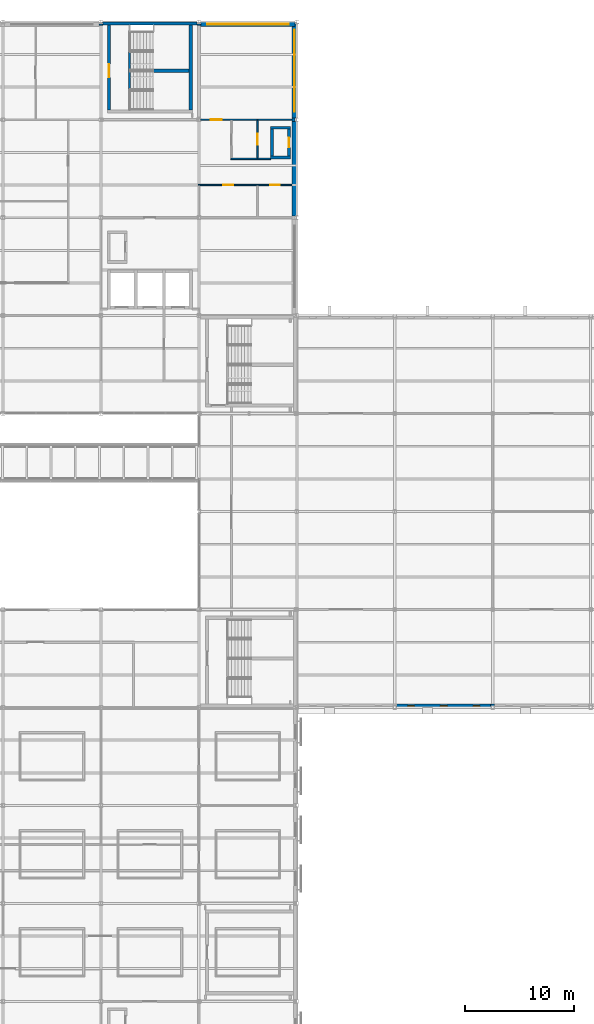
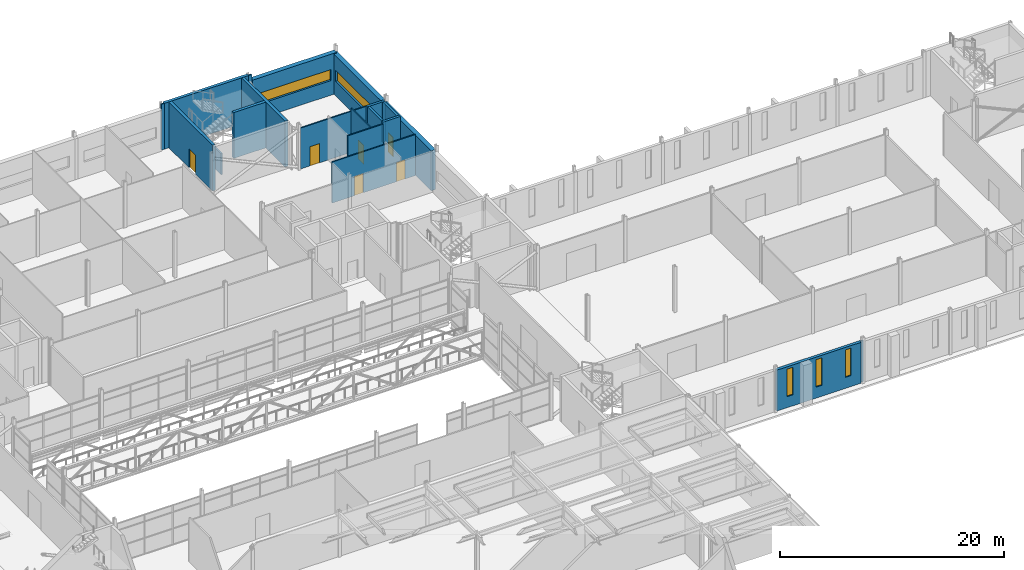
# One storey, part 88 of 115: 21 walls, 6 doors, 5 windows, 11 openings.
"""IFC4 building model written with IfcOpenShell, lengths in metres."""

import ifcopenshell
import ifcopenshell.guid

model = None  # the IFC model being written
_history = None  # IfcOwnerHistory: only IFC2X3 demands one
_inside = {}  # id of a spatial element -> (the spatial element, [elements in it])
_under = {}  # id of a project, library or spatial element -> (it, [spatial elements below it])
_declared = {}  # id of a project -> (the project, [libraries it declares])
_typed = {}  # id of a type object -> (the type object, [elements of that type])
_made_of = {}  # id of a material, layer set ... -> (it, [elements and type objects made of it])


def new_model(schema):
    """Start an empty IFC model of exactly this schema.

    Asked for "IFC4X3", IfcOpenShell would pick the latest addendum, in which some entities
    have other attributes; the version numbers below select the first issue.
    IFC2X3 requires an IfcOwnerHistory on every rooted entity: one is made here for all.
    """
    global model, _history
    if schema == "IFC4X3":
        model = ifcopenshell.file(schema_version=(4, 3, 0, 0))
    else:
        model = ifcopenshell.file(schema=schema)
    _inside.clear()
    _under.clear()
    _declared.clear()
    _typed.clear()
    _made_of.clear()
    _history = None
    if model.schema == "IFC2X3":
        org = make("IfcOrganization", Name="unknown")
        user = make(
            "IfcPersonAndOrganization",
            ThePerson=make("IfcPerson", FamilyName="unknown"),
            TheOrganization=org,
        )
        app = make(
            "IfcApplication",
            ApplicationDeveloper=org,
            Version="unknown",
            ApplicationFullName="unknown",
            ApplicationIdentifier="unknown",
        )
        _history = make(
            "IfcOwnerHistory",
            OwningUser=user,
            OwningApplication=app,
            ChangeAction="ADDED",
            CreationDate=0,
        )
    return model


def make(cls, **values):
    """One entity of the class cls with the attributes given. An attribute that is None is left unset."""
    return model.create_entity(
        cls, **{name: value for name, value in values.items() if value is not None}
    )


def rooted(cls, **values):
    """An entity with a GlobalId (a new one), such as an element, a storey or a relation."""
    return make(cls, GlobalId=ifcopenshell.guid.new(), OwnerHistory=_history, **values)


def si_unit(unit_type, name, prefix=None):
    """IfcSIUnit, for example si_unit("LENGTHUNIT", "METRE", prefix="MILLI")."""
    return make("IfcSIUnit", UnitType=unit_type, Prefix=prefix, Name=name)


def assignment(units):
    """IfcUnitAssignment: the units of a project."""
    return None if units is None else make("IfcUnitAssignment", Units=units)


def point(xyz):
    """IfcCartesianPoint."""
    return None if xyz is None else make("IfcCartesianPoint", Coordinates=xyz)


def direction(xyz):
    """IfcDirection."""
    return None if xyz is None else make("IfcDirection", DirectionRatios=xyz)


def frame(location, z_axis=None, x_axis=None):
    """IfcAxis2Placement3D, a coordinate frame: its origin and axes. An axis left out is left unset."""
    return make(
        "IfcAxis2Placement3D",
        Location=point(location),
        Axis=direction(z_axis),
        RefDirection=direction(x_axis),
    )


def frame_2d(location, x_axis=None):
    """IfcAxis2Placement2D, a coordinate frame in the plane: its origin and x axis."""
    return make(
        "IfcAxis2Placement2D", Location=point(location), RefDirection=direction(x_axis)
    )


def origin():
    """The frame at (0, 0, 0) with its axes left unset."""
    return frame((0.0, 0.0, 0.0))


def place(relative_to, where):
    """IfcLocalPlacement: puts the frame where relative to a parent placement (None: the world)."""
    return make(
        "IfcLocalPlacement", PlacementRelTo=relative_to, RelativePlacement=where
    )


def context(
    kind, dimensions, precision=None, world=None, true_north=None, identifier=None
):
    """IfcGeometricRepresentationContext, for example the 3D "Model" context."""
    return make(
        "IfcGeometricRepresentationContext",
        ContextIdentifier=identifier,
        ContextType=kind,
        CoordinateSpaceDimension=dimensions,
        Precision=precision,
        WorldCoordinateSystem=world,
        TrueNorth=true_north,
    )


def subcontext(parent, identifier, kind, view, scale=None):
    """IfcGeometricRepresentationSubContext, for example "Body" below "Model"."""
    return make(
        "IfcGeometricRepresentationSubContext",
        ContextIdentifier=identifier,
        ContextType=kind,
        ParentContext=parent,
        TargetScale=scale,
        TargetView=view,
    )


def project(units=None, contexts=None):
    """IfcProject with its units and contexts."""
    return rooted(
        "IfcProject",
        Name="project",
        RepresentationContexts=contexts,
        UnitsInContext=assignment(units),
    )


def spatial(cls, under=None, at=None, **own):
    """A site, building, storey or space (cls), placed at a placement, below another one or the project."""
    s = rooted(cls, ObjectPlacement=at, **own)
    if under is not None:
        _under.setdefault(under.id(), (under, []))[1].append(s)
    return s


def profile(cls, at=None, kind="AREA", **sizes):
    """A parametric profile (cls). Its sizes go by their IFC names, for example OverallWidth=200.0."""
    return make(cls, ProfileType=kind, Position=at, **sizes)


def rectangle(**sizes):
    """IfcRectangleProfileDef."""
    return profile("IfcRectangleProfileDef", **sizes)


def extrude(swept, where, along, depth):
    """IfcExtrudedAreaSolid: the profile swept, set in the frame where, extruded along a direction by depth."""
    return make(
        "IfcExtrudedAreaSolid",
        SweptArea=swept,
        Position=where,
        ExtrudedDirection=direction(along),
        Depth=depth,
    )


def shape(context_of_items, identifier, shape_type, items):
    """IfcShapeRepresentation: the items that make up one representation, for example the "Body"."""
    return make(
        "IfcShapeRepresentation",
        ContextOfItems=context_of_items,
        RepresentationIdentifier=identifier,
        RepresentationType=shape_type,
        Items=items,
    )


def material(Name=None, Category=None):
    """IfcMaterial."""
    return make("IfcMaterial", Name=Name, Category=Category)


def layer(
    of_material, thickness, ventilated=None, Name=None, Category=None, Priority=None
):
    """IfcMaterialLayer: one layer of a wall or slab, of a material (None: an air gap)."""
    return make(
        "IfcMaterialLayer",
        Material=of_material,
        LayerThickness=thickness,
        IsVentilated=ventilated,
        Name=Name,
        Category=Category,
        Priority=Priority,
    )


def layer_set(layers, Name=None):
    """IfcMaterialLayerSet."""
    return make("IfcMaterialLayerSet", MaterialLayers=layers, LayerSetName=Name)


def made_of(thing, what):
    """Note that an element or type object is made of a material, layer set ...; save() writes the relation."""
    if what is not None:
        _made_of.setdefault(what.id(), (what, []))[1].append(thing)
    return thing


def type_object(cls, material=None, **own):
    """A type object (cls), such as IfcWallType, which elements share."""
    return made_of(rooted(cls, **own), material)


def element(
    cls,
    number,
    at=None,
    inside=None,
    cuts=None,
    type_object=None,
    material=None,
    context=None,
    identifier="Body",
    shape_type=None,
    held_by="IfcProductDefinitionShape",
    body=None,
    shapes=None,
    **own,
):
    """One element of the class cls, such as IfcWall. Its Tag is "e" and its number.

    at: its placement. inside: the storey or other place that contains it. cuts: it is an
    opening in that element (IfcRelVoidsElement). A single representation is given by context,
    identifier, shape_type and body (its items); several are given by shapes. held_by: the class
    of the entity that holds the representations. save() writes the other relations.
    """
    e = rooted(cls, Tag="e%d" % number, ObjectPlacement=at, **own)
    if body is not None:
        shapes = [shape(context, identifier, shape_type, body)]
    if shapes is not None:
        e.Representation = make(held_by, Representations=shapes)
    if inside is not None:
        _inside.setdefault(inside.id(), (inside, []))[1].append(e)
    if cuts is not None:
        rooted(
            "IfcRelVoidsElement", RelatingBuildingElement=cuts, RelatedOpeningElement=e
        )
    if type_object is not None:
        _typed.setdefault(type_object.id(), (type_object, []))[1].append(e)
    return made_of(e, material)


def fill(opening, filler):
    """IfcRelFillsElement: the door or window that sits in an opening."""
    return rooted(
        "IfcRelFillsElement",
        RelatingOpeningElement=opening,
        RelatedBuildingElement=filler,
    )


def aggregate(whole, parts):
    """IfcRelAggregates: a whole, such as a stair, and the parts it consists of."""
    return rooted("IfcRelAggregates", RelatingObject=whole, RelatedObjects=parts)


def save(model, path):
    """Write the relations noted so far, then the file.

    IfcRelAggregates (storeys below a building ...), IfcRelContainedInSpatialStructure (elements
    in a storey), IfcRelDefinesByType, IfcRelAssociatesMaterial and IfcRelDeclares: one each for
    every whole, place, type object, material and project.
    """
    for whole, parts in _under.values():
        aggregate(whole, parts)
    for where, things in _inside.values():
        rooted(
            "IfcRelContainedInSpatialStructure",
            RelatedElements=things,
            RelatingStructure=where,
        )
    for kind, things in _typed.values():
        rooted("IfcRelDefinesByType", RelatedObjects=things, RelatingType=kind)
    for what, things in _made_of.values():
        rooted("IfcRelAssociatesMaterial", RelatedObjects=things, RelatingMaterial=what)
    for by, libraries in _declared.values():
        rooted("IfcRelDeclares", RelatingContext=by, RelatedDefinitions=libraries)
    model.write(path)


model = new_model("IFC4")

# Units and contexts
model_context = context("Model", 3, precision=1e-05, world=origin(), true_north=direction((0.0, 1.0)))
body_context = subcontext(model_context, "Body", "Model", "MODEL_VIEW")
ifc_project = project(units=[si_unit("LENGTHUNIT", "METRE"), si_unit("AREAUNIT", "SQUARE_METRE"), si_unit("VOLUMEUNIT", "CUBIC_METRE"), si_unit("PLANEANGLEUNIT", "RADIAN"), si_unit("MASSUNIT", "GRAM", prefix="KILO")], contexts=[model_context])

# Site, building, storey
site_placement = place(None, origin())
site = spatial("IfcSite", under=ifc_project, at=site_placement, CompositionType="ELEMENT")
building_placement = place(site_placement, origin())
building = spatial("IfcBuilding", under=site, at=building_placement, Name="Shorebreak Coast Museum", CompositionType="ELEMENT")
storey_placement = place(building_placement, frame((0.0, 0.0, 11.0)))
storey = spatial("IfcBuildingStorey", under=building, at=storey_placement, Name="L02", CompositionType="ELEMENT", Elevation=11.0)

# Walls
ifc_material_1 = material(Name="Concrete N50 (50 MPa)", Category="concrete")
ifc_layer_1 = layer(ifc_material_1, 0.136474609375)
ifc_layer_set_1 = layer_set([ifc_layer_1], Name="Concrete N50 (50 MPa)")
wall_type_1 = type_object("IfcWallType", Name="Column closure panel 136", PredefinedType="SOLIDWALL", material=ifc_layer_set_1)
for number, where, z_axis, x_axis, name in (
    (1, (98.83349609375, 116.768310546875, 0.0), (0.0, 0.0, 1.0), (1.0, 0.0, 0.0), "Column closure panel L02 N 12P"),
    (2, (107.844482421875, 116.768310546875, 0.0), (0.0, 0.0, 1.0), (1.0, 0.0, 0.0), "Column closure panel L02 N 13P"),
):
    element("IfcWall", number, at=place(storey_placement, frame(where, z_axis=z_axis, x_axis=x_axis)), inside=storey, type_object=wall_type_1, Name=name, PredefinedType="SOLIDWALL", context=body_context, shape_type="SweptSolid", body=[
        extrude(rectangle(XDim=0.322021484375, YDim=0.136474609375, at=frame_2d((0.1611328125, 0.0))), origin(), (0.0, 0.0, 1.0), 5.0),
    ])
ifc_material_2 = material(Name="Concrete N50 (50 MPa)", Category="concrete")
ifc_layer_2 = layer(ifc_material_2, 0.14990234375)
ifc_layer_set_2 = layer_set([ifc_layer_2], Name="Concrete N50 (50 MPa)")
wall_type_2 = type_object("IfcWallType", Name="Column closure panel 150", PredefinedType="SOLIDWALL", material=ifc_layer_set_2)
wall_1_placement = place(storey_placement, frame((134.839111328125, 54.22509765625, 0.0), z_axis=(0.0, 0.0, 1.0), x_axis=(1.0, 0.0, 0.0)))
element("IfcWall", 3, at=wall_1_placement, inside=storey, type_object=wall_type_2, Name="Column closure panel L02 S 16G", PredefinedType="SOLIDWALL", context=body_context, shape_type="SweptSolid", body=[
    extrude(rectangle(XDim=0.32177734375, YDim=0.14990234375, at=frame_2d((0.160888671875, 0.0))), origin(), (0.0, 0.0, 1.0), 4.469482421875),
])
ifc_material_3 = material(Name="Concrete N50 (50 MPa)", Category="concrete")
ifc_layer_3 = layer(ifc_material_3, 0.29541015625)
ifc_layer_set_3 = layer_set([ifc_layer_3], Name="Concrete N50 (50 MPa)")
wall_type_3 = type_object("IfcWallType", Name="Column closure panel 296", PredefinedType="SOLIDWALL", material=ifc_layer_set_3)
wall_2_placement = place(storey_placement, frame((116.6982421875, 107.839111328125, 0.0), z_axis=(0.0, 0.0, 1.0), x_axis=(0.0, 1.0, 0.0)))
element("IfcWall", 4, at=wall_2_placement, inside=storey, type_object=wall_type_3, Name="Column closure panel L02 E 14N", PredefinedType="SOLIDWALL", context=body_context, shape_type="SweptSolid", body=[
    extrude(rectangle(XDim=0.32177734375, YDim=0.29638671875, at=frame_2d((0.160888671875, 0.0))), origin(), (0.0, 0.0, 1.0), 4.37109375),
])
ifc_material_4 = material(Name="Concrete N50 (50 MPa)", Category="concrete")
ifc_layer_4 = layer(ifc_material_4, 0.449951171875)
ifc_layer_set_4 = layer_set([ifc_layer_4], Name="Concrete N50 (50 MPa)")
wall_type_4 = type_object("IfcWallType", Name="Deep-set precast panel 450", PredefinedType="SOLIDWALL", material=ifc_layer_set_4)
wall_3_placement = place(storey_placement, frame((116.77490234375, 99.160888671875, 0.0), z_axis=(0.0, 0.0, 1.0), x_axis=(0.0, 1.0, 0.0)))
element("IfcWall", 5, at=wall_3_placement, inside=storey, type_object=wall_type_4, Name="External wall L02 E 14M", PredefinedType="SOLIDWALL", context=body_context, shape_type="SweptSolid", body=[
    extrude(rectangle(XDim=8.67822265625, YDim=0.449951171875, at=frame_2d((4.339111328125, 0.0))), origin(), (0.0, 0.0, 1.0), 4.37109375),
])

# Wall, opening, window
wall_4_placement = place(storey_placement, frame((108.16650390625, 116.77490234375, 0.0), z_axis=(0.0, 0.0, 1.0), x_axis=(1.0, 0.0, 0.0)))
wall_4 = element("IfcWall", 6, at=wall_4_placement, inside=storey, type_object=wall_type_4, Name="External wall L02 N 13P", PredefinedType="SOLIDWALL", context=body_context, shape_type="SweptSolid", body=[
    extrude(rectangle(XDim=8.677978515625, YDim=0.449951171875, at=frame_2d((4.3388671875, 0.0))), origin(), (0.0, 0.0, 1.0), 4.469482421875),
])
opening_1_placement = place(wall_4_placement, frame((0.58349609375, 0.0, 1.60009765625)))
opening_1 = element("IfcOpeningElement", 7, at=opening_1_placement, cuts=wall_4, Name="Opening WN2037", PredefinedType="OPENING", context=body_context, shape_type="SweptSolid", body=[
    extrude(rectangle(XDim=7.5, YDim=1.199951171875, at=frame_2d((3.75, 0.60009765625))), frame((0.0, 0.23486328125, 0.0), z_axis=(0.0, -1.0, 0.0), x_axis=(1.0, 0.0, 0.0)), (0.0, 0.0, 1.0), 0.469970703125),
])
ifc_material_5 = material(Name="Aluminium", Category="aluminium")
window_type_1 = type_object("IfcWindowType", Name="Ribbon window 7500 x 1200", PartitioningType="SINGLE_PANEL", PredefinedType="WINDOW", material=ifc_material_5)
window_1_placement = place(opening_1_placement, origin())
window_1 = element("IfcWindow", 8, at=window_1_placement, inside=storey, type_object=window_type_1, Name="Window WN2037", OverallHeight=1.199951171875, OverallWidth=7.5, PartitioningType="SINGLE_PANEL", PredefinedType="WINDOW", context=body_context, shape_type="SweptSolid", body=[
    extrude(rectangle(XDim=7.5, YDim=1.199951171875, at=frame_2d((3.75, 0.60009765625))), frame((0.0, 0.030029296875, 0.0), z_axis=(0.0, -1.0, 0.0), x_axis=(1.0, 0.0, 0.0)), (0.0, 0.0, 1.0), 0.06005859375),
])
fill(opening_1, window_1)

wall_5_placement = place(storey_placement, frame((116.77490234375, 108.160888671875, 0.0), z_axis=(0.0, 0.0, 1.0), x_axis=(0.0, 1.0, 0.0)))
wall_5 = element("IfcWall", 9, at=wall_5_placement, inside=storey, type_object=wall_type_4, Name="External wall L02 E 14N", PredefinedType="SOLIDWALL", context=body_context, shape_type="SweptSolid", body=[
    extrude(rectangle(XDim=8.675537109375, YDim=0.449951171875, at=frame_2d((4.337890625, 0.0))), origin(), (0.0, 0.0, 1.0), 4.37109375),
])
opening_2_placement = place(wall_5_placement, frame((0.5927734375, 0.0, 1.60009765625)))
opening_2 = element("IfcOpeningElement", 10, at=opening_2_placement, cuts=wall_5, Name="Opening WN2015", PredefinedType="OPENING", context=body_context, shape_type="SweptSolid", body=[
    extrude(rectangle(XDim=7.5, YDim=1.199951171875, at=frame_2d((3.75, 0.60009765625))), frame((0.0, 0.23486328125, 0.0), z_axis=(0.0, -1.0, 0.0), x_axis=(1.0, 0.0, 0.0)), (0.0, 0.0, 1.0), 0.469970703125),
])
window_2_placement = place(opening_2_placement, origin())
window_2 = element("IfcWindow", 11, at=window_2_placement, inside=storey, type_object=window_type_1, Name="Window WN2015", OverallHeight=1.199951171875, OverallWidth=7.5, PartitioningType="SINGLE_PANEL", PredefinedType="WINDOW", context=body_context, shape_type="SweptSolid", body=[
    extrude(rectangle(XDim=7.5, YDim=1.199951171875, at=frame_2d((3.75, 0.60009765625))), frame((0.0, 0.030029296875, 0.0), z_axis=(0.0, -1.0, 0.0), x_axis=(1.0, 0.0, 0.0)), (0.0, 0.0, 1.0), 0.06005859375),
])
fill(opening_2, window_2)

# Wall, openings, doors
ifc_material_6 = material(Name="Plasterboard on steel stud", Category="steel")
ifc_layer_5 = layer(ifc_material_6, 0.125)
ifc_layer_set_5 = layer_set([ifc_layer_5], Name="Plasterboard on steel stud")
wall_type_5 = type_object("IfcWallType", Name="Partition 125", PredefinedType="PARTITIONING", material=ifc_layer_set_5)
wall_6_placement = place(storey_placement, frame((107.9375, 102.0, 0.0), z_axis=(0.0, 0.0, 1.0), x_axis=(1.0, 0.0, 0.0)))
wall_6 = element("IfcWall", 12, at=wall_6_placement, inside=storey, type_object=wall_type_5, Name="Partition L02-077", PredefinedType="PARTITIONING", context=body_context, shape_type="SweptSolid", body=[
    extrude(rectangle(XDim=8.612548828125, YDim=0.125, at=frame_2d((4.30615234375, 0.0))), origin(), (0.0, 0.0, 1.0), 4.469482421875),
])
opening_3_placement = place(wall_6_placement, frame((6.612548828125, 0.0, 0.0)))
opening_3 = element("IfcOpeningElement", 13, at=opening_3_placement, cuts=wall_6, Name="Opening D2014", PredefinedType="OPENING", context=body_context, shape_type="SweptSolid", body=[
    extrude(rectangle(XDim=0.89990234375, YDim=2.10009765625, at=frame_2d((0.449951171875, 1.050048828125))), frame((0.0, 0.072509765625, 0.0), z_axis=(0.0, -1.0, 0.0), x_axis=(1.0, 0.0, 0.0)), (0.0, 0.0, 1.0), 0.14501953125),
])
opening_4_placement = place(wall_6_placement, frame((2.3125, 0.0, 0.0)))
opening_4 = element("IfcOpeningElement", 14, at=opening_4_placement, cuts=wall_6, Name="Opening D2015", PredefinedType="OPENING", context=body_context, shape_type="SweptSolid", body=[
    extrude(rectangle(XDim=0.89990234375, YDim=2.10009765625, at=frame_2d((0.449951171875, 1.050048828125))), frame((0.0, 0.072509765625, 0.0), z_axis=(0.0, -1.0, 0.0), x_axis=(1.0, 0.0, 0.0)), (0.0, 0.0, 1.0), 0.14501953125),
])
ifc_material_7 = material(Name="Timber", Category="wood")
door_type_1 = type_object("IfcDoorType", Name="Interior door 900x2100", OperationType="SINGLE_SWING_LEFT", PredefinedType="DOOR", material=ifc_material_7)
door_1_placement = place(opening_3_placement, origin())
door_1 = element("IfcDoor", 15, at=door_1_placement, inside=storey, type_object=door_type_1, Name="Door D2014 Accessible WC N2", OperationType="SINGLE_SWING_LEFT", OverallHeight=2.10009765625, OverallWidth=0.89990234375, PredefinedType="DOOR", context=body_context, shape_type="SweptSolid", body=[
    extrude(rectangle(XDim=0.89990234375, YDim=2.10009765625, at=frame_2d((0.449951171875, 1.050048828125))), frame((0.0, 0.02490234375, 0.0), z_axis=(0.0, -1.0, 0.0), x_axis=(1.0, 0.0, 0.0)), (0.0, 0.0, 1.0), 0.050048828125),
])
fill(opening_3, door_1)
door_2_placement = place(opening_4_placement, origin())
door_2 = element("IfcDoor", 16, at=door_2_placement, inside=storey, type_object=door_type_1, Name="Door D2015 Male WC N2", OperationType="SINGLE_SWING_LEFT", OverallHeight=2.10009765625, OverallWidth=0.89990234375, PredefinedType="DOOR", context=body_context, shape_type="SweptSolid", body=[
    extrude(rectangle(XDim=0.89990234375, YDim=2.10009765625, at=frame_2d((0.449951171875, 1.050048828125))), frame((0.0, 0.02490234375, 0.0), z_axis=(0.0, -1.0, 0.0), x_axis=(1.0, 0.0, 0.0)), (0.0, 0.0, 1.0), 0.050048828125),
])
fill(opening_4, door_2)

# Wall
wall_7_placement = place(storey_placement, frame((110.9375, 104.39990234375, 0.0), z_axis=(0.0, 0.0, 1.0), x_axis=(1.0, 0.0, 0.0)))
element("IfcWall", 17, at=wall_7_placement, inside=storey, type_object=wall_type_5, Name="Partition L02-079", PredefinedType="PARTITIONING", context=body_context, shape_type="SweptSolid", body=[
    extrude(rectangle(XDim=3.66259765625, YDim=0.125, at=frame_2d((1.831298828125, 0.0))), origin(), (0.0, 0.0, 1.0), 4.824951171875),
])

# Wall, opening, door
wall_8_placement = place(storey_placement, frame((108.153564453125, 108.0, 0.0), z_axis=(0.0, 0.0, 1.0), x_axis=(1.0, 0.0, 0.0)))
wall_8 = element("IfcWall", 18, at=wall_8_placement, inside=storey, type_object=wall_type_5, Name="Partition L02-084", PredefinedType="PARTITIONING", context=body_context, shape_type="SweptSolid", body=[
    extrude(rectangle(XDim=8.396484375, YDim=0.125, at=frame_2d((4.1982421875, 0.0))), origin(), (0.0, 0.0, 1.0), 4.469482421875),
])
opening_5_placement = place(wall_8_placement, frame((0.949951171875, 0.0, 0.0)))
opening_5 = element("IfcOpeningElement", 19, at=opening_5_placement, cuts=wall_8, Name="Opening D2017", PredefinedType="OPENING", context=body_context, shape_type="SweptSolid", body=[
    extrude(rectangle(XDim=1.0, YDim=2.10009765625, at=frame_2d((0.5, 1.050048828125))), frame((0.0, 0.072509765625, 0.0), z_axis=(0.0, -1.0, 0.0), x_axis=(1.0, 0.0, 0.0)), (0.0, 0.0, 1.0), 0.14501953125),
])
ifc_material_8 = material(Name="Timber", Category="wood")
door_type_2 = type_object("IfcDoorType", Name="Interior door 1000x2100", OperationType="SINGLE_SWING_LEFT", PredefinedType="DOOR", material=ifc_material_8)
door_3_placement = place(opening_5_placement, origin())
door_3 = element("IfcDoor", 20, at=door_3_placement, inside=storey, type_object=door_type_2, Name="Door D2017 Services Store 2.02", OperationType="SINGLE_SWING_RIGHT", OverallHeight=2.10009765625, OverallWidth=1.0, PredefinedType="DOOR", context=body_context, shape_type="SweptSolid", body=[
    extrude(rectangle(XDim=1.0, YDim=2.10009765625, at=frame_2d((0.5, 1.050048828125))), frame((0.0, 0.02490234375, 0.0), z_axis=(0.0, -1.0, 0.0), x_axis=(1.0, 0.0, 0.0)), (0.0, 0.0, 1.0), 0.050048828125),
])
fill(opening_5, door_3)

wall_9_placement = place(storey_placement, frame((113.39990234375, 104.46240234375, 0.0), z_axis=(0.0, 0.0, 1.0), x_axis=(0.0, 1.0, 0.0)))
wall_9 = element("IfcWall", 21, at=wall_9_placement, inside=storey, type_object=wall_type_5, Name="Partition L02-170", PredefinedType="PARTITIONING", context=body_context, shape_type="SweptSolid", body=[
    extrude(rectangle(XDim=3.47509765625, YDim=0.125, at=frame_2d((1.737548828125, 0.0))), origin(), (0.0, 0.0, 1.0), 4.824951171875),
])
opening_6_placement = place(wall_9_placement, frame((1.25, 0.0, 0.0)))
opening_6 = element("IfcOpeningElement", 22, at=opening_6_placement, cuts=wall_9, Name="Opening D2012", PredefinedType="OPENING", context=body_context, shape_type="SweptSolid", body=[
    extrude(rectangle(XDim=1.0, YDim=2.10009765625, at=frame_2d((0.5, 1.050048828125))), frame((0.0, 0.072509765625, 0.0), z_axis=(0.0, -1.0, 0.0), x_axis=(1.0, 0.0, 0.0)), (0.0, 0.0, 1.0), 0.14501953125),
])
door_4_placement = place(opening_6_placement, origin())
door_4 = element("IfcDoor", 23, at=door_4_placement, inside=storey, type_object=door_type_2, Name="Door D2012 Cleaner Store N2", OperationType="SINGLE_SWING_RIGHT", OverallHeight=2.10009765625, OverallWidth=1.0, PredefinedType="DOOR", context=body_context, shape_type="SweptSolid", body=[
    extrude(rectangle(XDim=1.0, YDim=2.10009765625, at=frame_2d((0.5, 1.050048828125))), frame((0.0, 0.02490234375, 0.0), z_axis=(0.0, -1.0, 0.0), x_axis=(1.0, 0.0, 0.0)), (0.0, 0.0, 1.0), 0.050048828125),
])
fill(opening_6, door_4)

# Wall, openings, windows
ifc_material_9 = material(Name="Concrete N50 (50 MPa)", Category="concrete")
ifc_layer_6 = layer(ifc_material_9, 0.300048828125)
ifc_layer_set_6 = layer_set([ifc_layer_6], Name="Concrete N50 (50 MPa)")
wall_type_6 = type_object("IfcWallType", Name="Precast board-marked panel 300", PredefinedType="SOLIDWALL", material=ifc_layer_set_6)
wall_10_placement = place(storey_placement, frame((126.160888671875, 54.14990234375, 0.0), z_axis=(0.0, 0.0, 1.0), x_axis=(1.0, 0.0, 0.0)))
wall_10 = element("IfcWall", 24, at=wall_10_placement, inside=storey, type_object=wall_type_6, Name="External wall L02 S 15G", PredefinedType="SOLIDWALL", context=body_context, shape_type="SweptSolid", body=[
    extrude(rectangle(XDim=8.67822265625, YDim=0.300048828125, at=frame_2d((4.339111328125, 0.0))), origin(), (0.0, 0.0, 1.0), 4.469482421875),
])
opening_7_placement = place(wall_10_placement, frame((1.0390625, 0.0, 1.199951171875)))
opening_7 = element("IfcOpeningElement", 25, at=opening_7_placement, cuts=wall_10, Name="Opening WN2052", PredefinedType="OPENING", context=body_context, shape_type="SweptSolid", body=[
    extrude(rectangle(XDim=0.60009765625, YDim=3.0, at=frame_2d((0.300048828125, 1.5))), frame((0.0, 0.159912109375, 0.0), z_axis=(0.0, -1.0, 0.0), x_axis=(1.0, 0.0, 0.0)), (0.0, 0.0, 1.0), 0.320068359375),
])
opening_8_placement = place(wall_10_placement, frame((4.0390625, 0.0, 1.199951171875)))
opening_8 = element("IfcOpeningElement", 26, at=opening_8_placement, cuts=wall_10, Name="Opening WN2053", PredefinedType="OPENING", context=body_context, shape_type="SweptSolid", body=[
    extrude(rectangle(XDim=0.60009765625, YDim=3.0, at=frame_2d((0.300048828125, 1.5))), frame((0.0, 0.159912109375, 0.0), z_axis=(0.0, -1.0, 0.0), x_axis=(1.0, 0.0, 0.0)), (0.0, 0.0, 1.0), 0.320068359375),
])
opening_9_placement = place(wall_10_placement, frame((7.0390625, 0.0, 1.199951171875)))
opening_9 = element("IfcOpeningElement", 27, at=opening_9_placement, cuts=wall_10, Name="Opening WN2054", PredefinedType="OPENING", context=body_context, shape_type="SweptSolid", body=[
    extrude(rectangle(XDim=0.60009765625, YDim=3.0, at=frame_2d((0.300048828125, 1.5))), frame((0.0, 0.159912109375, 0.0), z_axis=(0.0, -1.0, 0.0), x_axis=(1.0, 0.0, 0.0)), (0.0, 0.0, 1.0), 0.320068359375),
])
ifc_material_10 = material(Name="Aluminium", Category="aluminium")
window_type_2 = type_object("IfcWindowType", Name="Hall slot window 600 x 3000", PartitioningType="SINGLE_PANEL", PredefinedType="WINDOW", material=ifc_material_10)
window_3_placement = place(opening_7_placement, origin())
window_3 = element("IfcWindow", 28, at=window_3_placement, inside=storey, type_object=window_type_2, Name="Window WN2052", OverallHeight=3.0, OverallWidth=0.60009765625, PartitioningType="SINGLE_PANEL", PredefinedType="WINDOW", context=body_context, shape_type="SweptSolid", body=[
    extrude(rectangle(XDim=0.60009765625, YDim=3.0, at=frame_2d((0.300048828125, 1.5))), frame((0.0, 0.030029296875, 0.0), z_axis=(0.0, -1.0, 0.0), x_axis=(1.0, 0.0, 0.0)), (0.0, 0.0, 1.0), 0.06005859375),
])
fill(opening_7, window_3)
window_4_placement = place(opening_8_placement, origin())
window_4 = element("IfcWindow", 29, at=window_4_placement, inside=storey, type_object=window_type_2, Name="Window WN2053", OverallHeight=3.0, OverallWidth=0.60009765625, PartitioningType="SINGLE_PANEL", PredefinedType="WINDOW", context=body_context, shape_type="SweptSolid", body=[
    extrude(rectangle(XDim=0.60009765625, YDim=3.0, at=frame_2d((0.300048828125, 1.5))), frame((0.0, 0.030029296875, 0.0), z_axis=(0.0, -1.0, 0.0), x_axis=(1.0, 0.0, 0.0)), (0.0, 0.0, 1.0), 0.06005859375),
])
fill(opening_8, window_4)
window_5_placement = place(opening_9_placement, origin())
window_5 = element("IfcWindow", 30, at=window_5_placement, inside=storey, type_object=window_type_2, Name="Window WN2054", OverallHeight=3.0, OverallWidth=0.60009765625, PartitioningType="SINGLE_PANEL", PredefinedType="WINDOW", context=body_context, shape_type="SweptSolid", body=[
    extrude(rectangle(XDim=0.60009765625, YDim=3.0, at=frame_2d((0.300048828125, 1.5))), frame((0.0, 0.030029296875, 0.0), z_axis=(0.0, -1.0, 0.0), x_axis=(1.0, 0.0, 0.0)), (0.0, 0.0, 1.0), 0.06005859375),
])
fill(opening_9, window_5)

# Walls
ifc_material_11 = material(Name="Concrete N50 (50 MPa)", Category="concrete")
ifc_layer_7 = layer(ifc_material_11, 0.25)
ifc_layer_set_7 = layer_set([ifc_layer_7], Name="Concrete N50 (50 MPa)")
wall_type_7 = type_object("IfcWallType", Name="RC riser wall 250", PredefinedType="STANDARD", material=ifc_layer_set_7)
for number, where, z_axis, x_axis, name in (
    (31, (114.60009765625, 104.52490234375, 0.0), (0.0, 0.0, 1.0), (1.0, 0.0, 0.0), "Riser wall R-WC-N2 L02 S"),
    (32, (114.60009765625, 107.27490234375, 0.0), (0.0, 0.0, 1.0), (1.0, 0.0, 0.0), "Riser wall R-WC-N2 L02 N"),
):
    element("IfcWall", number, at=place(storey_placement, frame(where, z_axis=z_axis, x_axis=x_axis)), inside=storey, type_object=wall_type_7, Name=name, PredefinedType="STANDARD", context=body_context, shape_type="SweptSolid", body=[
        extrude(rectangle(XDim=1.7998046875, YDim=0.25, at=frame_2d((0.89990234375, 0.0))), origin(), (0.0, 0.0, 1.0), 5.0),
    ])
wall_11_placement = place(storey_placement, frame((114.72509765625, 104.64990234375, 0.0), z_axis=(0.0, 0.0, 1.0), x_axis=(0.0, 1.0, 0.0)))
element("IfcWall", 33, at=wall_11_placement, inside=storey, type_object=wall_type_7, Name="Riser wall R-WC-N2 L02 W", PredefinedType="STANDARD", context=body_context, shape_type="SweptSolid", body=[
    extrude(rectangle(XDim=2.5, YDim=0.25, at=frame_2d((1.25, 0.0))), origin(), (0.0, 0.0, 1.0), 5.0),
])

# Wall, opening, door
wall_12_placement = place(storey_placement, frame((116.27490234375, 104.64990234375, 0.0), z_axis=(0.0, 0.0, 1.0), x_axis=(0.0, 1.0, 0.0)))
wall_12 = element("IfcWall", 34, at=wall_12_placement, inside=storey, type_object=wall_type_7, Name="Riser wall R-WC-N2 L02 E", PredefinedType="STANDARD", context=body_context, shape_type="SweptSolid", body=[
    extrude(rectangle(XDim=2.5, YDim=0.25, at=frame_2d((1.25, 0.0))), origin(), (0.0, 0.0, 1.0), 5.0),
])
opening_10_placement = place(wall_12_placement, frame((0.800048828125, 0.0, 0.0)))
opening_10 = element("IfcOpeningElement", 35, at=opening_10_placement, cuts=wall_12, Name="Opening D2602", PredefinedType="OPENING", context=body_context, shape_type="SweptSolid", body=[
    extrude(rectangle(XDim=0.89990234375, YDim=2.10009765625, at=frame_2d((0.449951171875, 1.050048828125))), frame((0.0, 0.135009765625, 0.0), z_axis=(0.0, -1.0, 0.0), x_axis=(1.0, 0.0, 0.0)), (0.0, 0.0, 1.0), 0.27001953125),
])
ifc_material_12 = material(Name="Steel Grade 300", Category="steel")
door_type_3 = type_object("IfcDoorType", Name="Riser door 900x2100", OperationType="SINGLE_SWING_LEFT", PredefinedType="DOOR", material=ifc_material_12)
door_5_placement = place(opening_10_placement, origin())
door_5 = element("IfcDoor", 36, at=door_5_placement, inside=storey, type_object=door_type_3, Name="Riser door R-WC-N2 L02", OperationType="SINGLE_SWING_RIGHT", OverallHeight=2.10009765625, OverallWidth=0.89990234375, PredefinedType="DOOR", context=body_context, shape_type="SweptSolid", body=[
    extrude(rectangle(XDim=0.89990234375, YDim=2.10009765625, at=frame_2d((0.449951171875, 1.050048828125))), frame((0.0, 0.02490234375, 0.0), z_axis=(0.0, -1.0, 0.0), x_axis=(1.0, 0.0, 0.0)), (0.0, 0.0, 1.0), 0.050048828125),
])
fill(opening_10, door_5)

# Wall
ifc_material_13 = material(Name="Concrete N50 (50 MPa)", Category="concrete")
ifc_layer_8 = layer(ifc_material_13, 0.300048828125)
ifc_layer_set_8 = layer_set([ifc_layer_8], Name="Concrete N50 (50 MPa)")
wall_type_8 = type_object("IfcWallType", Name="RC wall 300", PredefinedType="SHEAR", material=ifc_layer_set_8)
wall_13_placement = place(storey_placement, frame((99.155517578125, 116.85009765625, 0.0), z_axis=(0.0, 0.0, 1.0), x_axis=(1.0, 0.0, 0.0)))
element("IfcWall", 37, at=wall_13_placement, inside=storey, type_object=wall_type_8, Name="Stair core wall ST10 L02 N", PredefinedType="SHEAR", context=body_context, shape_type="SweptSolid", body=[
    extrude(rectangle(XDim=8.68896484375, YDim=0.300048828125, at=frame_2d((4.344482421875, 0.0))), origin(), (0.0, 0.0, 1.0), 5.0),
])

# Wall, opening, door
wall_14_placement = place(storey_placement, frame((99.75, 108.89990234375, 0.0), z_axis=(0.0, 0.0, 1.0), x_axis=(0.0, 1.0, 0.0)))
wall_14 = element("IfcWall", 38, at=wall_14_placement, inside=storey, type_object=wall_type_8, Name="Stair core wall ST10 L02 W", PredefinedType="SHEAR", context=body_context, shape_type="SweptSolid", body=[
    extrude(rectangle(XDim=7.800048828125, YDim=0.300048828125, at=frame_2d((3.89990234375, 0.0))), origin(), (0.0, 0.0, 1.0), 5.0),
])
opening_11_placement = place(wall_14_placement, frame((3.0, 0.0, 0.0)))
opening_11 = element("IfcOpeningElement", 39, at=opening_11_placement, cuts=wall_14, Name="Opening D2810", PredefinedType="OPENING", context=body_context, shape_type="SweptSolid", body=[
    extrude(rectangle(XDim=1.199951171875, YDim=2.10009765625, at=frame_2d((0.60009765625, 1.050048828125))), frame((0.0, 0.159912109375, 0.0), z_axis=(0.0, -1.0, 0.0), x_axis=(1.0, 0.0, 0.0)), (0.0, 0.0, 1.0), 0.320068359375),
])
ifc_material_14 = material(Name="Steel Grade 300", Category="steel")
door_type_4 = type_object("IfcDoorType", Name="Fire door 1200x2100", OperationType="SINGLE_SWING_LEFT", PredefinedType="DOOR", material=ifc_material_14)
door_6_placement = place(opening_11_placement, origin())
door_6 = element("IfcDoor", 40, at=door_6_placement, inside=storey, type_object=door_type_4, Name="Stair door ST10 L02", OperationType="SINGLE_SWING_LEFT", OverallHeight=2.10009765625, OverallWidth=1.199951171875, PredefinedType="DOOR", context=body_context, shape_type="SweptSolid", body=[
    extrude(rectangle(XDim=1.199951171875, YDim=2.10009765625, at=frame_2d((0.60009765625, 1.050048828125))), frame((0.0, 0.02490234375, 0.0), z_axis=(0.0, -1.0, 0.0), x_axis=(1.0, 0.0, 0.0)), (0.0, 0.0, 1.0), 0.050048828125),
])
fill(opening_11, door_6)

# Walls
wall_15_placement = place(storey_placement, frame((107.25, 108.89990234375, 0.0), z_axis=(0.0, 0.0, 1.0), x_axis=(0.0, 1.0, 0.0)))
element("IfcWall", 41, at=wall_15_placement, inside=storey, type_object=wall_type_8, Name="Stair core wall ST10 L02 E", PredefinedType="SHEAR", context=body_context, shape_type="SweptSolid", body=[
    extrude(rectangle(XDim=7.800048828125, YDim=0.300048828125, at=frame_2d((3.89990234375, 0.0))), origin(), (0.0, 0.0, 1.0), 5.0),
])
wall_16_placement = place(storey_placement, frame((103.800048828125, 112.5, 0.0), z_axis=(0.0, 0.0, 1.0), x_axis=(1.0, 0.0, 0.0)))
element("IfcWall", 42, at=wall_16_placement, inside=storey, type_object=wall_type_8, Name="Stair spine wall ST10 L02", PredefinedType="SHEAR", context=body_context, shape_type="SweptSolid", body=[
    extrude(rectangle(XDim=3.300048828125, YDim=0.300048828125, at=frame_2d((1.64990234375, 0.0))), origin(), (0.0, 0.0, 1.0), 5.0),
])
ifc_material_15 = material(Name="Concrete N50 (50 MPa)", Category="concrete")
ifc_layer_9 = layer(ifc_material_15, 0.14990234375)
ifc_layer_set_9 = layer_set([ifc_layer_9], Name="Concrete N50 (50 MPa)")
wall_type_9 = type_object("IfcWallType", Name="Understair wall 150", PredefinedType="STANDARD", material=ifc_layer_set_9)
wall_17_placement = place(storey_placement, frame((101.625, 110.699951171875, 0.0), z_axis=(0.0, 0.0, 1.0), x_axis=(0.0, 1.0, 0.0)))
element("IfcWall", 43, at=wall_17_placement, inside=storey, type_object=wall_type_9, Name="Understair wall ST10 L02 floor", PredefinedType="STANDARD", context=body_context, shape_type="SweptSolid", body=[
    extrude(rectangle(XDim=3.60009765625, YDim=0.14990234375, at=frame_2d((1.800048828125, 0.0))), origin(), (0.0, 0.0, 1.0), 2.300048828125),
])

save(model, "model.ifc")
